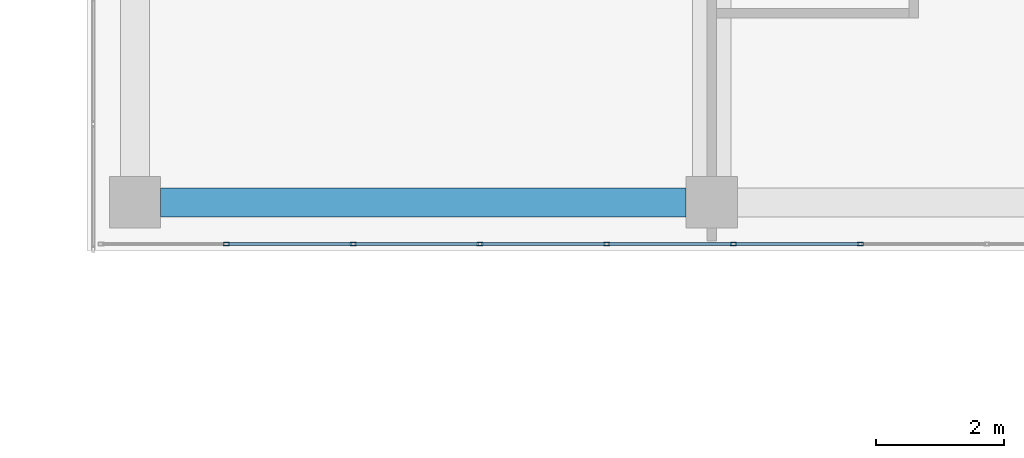
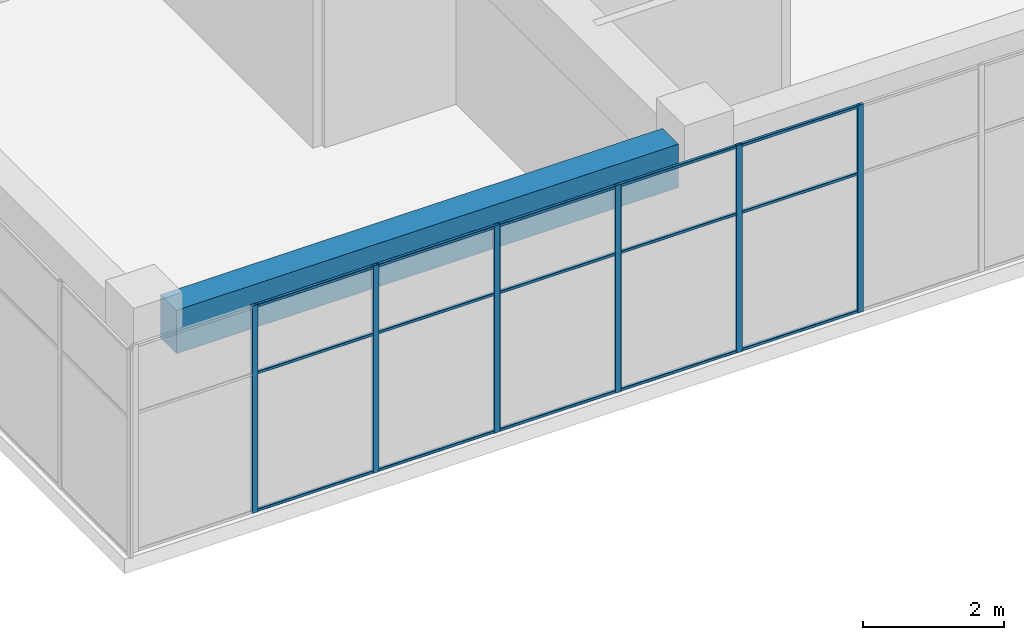
# One storey, part 15 of 52: 21 members, 1 beam, 1 element without a shape of its own.
"""IFC4 building model written with IfcOpenShell, lengths in metres."""

from ifc_helpers import new_model, si_unit, direction, frame, origin, origin_2d, place, context, subcontext, project, spatial, rectangle, hollow_rectangle, extrude, material, layer, layer_set, material_profile, profile_set, type_object, element, aggregate, save


model = new_model("IFC4")

# Units and contexts
model_context = context("Model", 3, precision=1e-05, world=origin(), true_north=direction((0.0, 1.0)))
body_context = subcontext(model_context, "Body", "Model", "MODEL_VIEW")
ifc_project = project(units=[si_unit("LENGTHUNIT", "METRE"), si_unit("AREAUNIT", "SQUARE_METRE"), si_unit("VOLUMEUNIT", "CUBIC_METRE"), si_unit("PLANEANGLEUNIT", "RADIAN"), si_unit("MASSUNIT", "GRAM", prefix="KILO")], contexts=[model_context])

# Site, building, storey
site_placement = place(None, origin())
site = spatial("IfcSite", under=ifc_project, at=site_placement, CompositionType="ELEMENT")
building_placement = place(site_placement, origin())
building = spatial("IfcBuilding", under=site, at=building_placement, Name="Tuart Plaza Theatre", CompositionType="ELEMENT")
storey_placement = place(building_placement, frame((0.0, 0.0, 25.5)))
storey = spatial("IfcBuildingStorey", under=building, at=storey_placement, Name="L06", CompositionType="ELEMENT", Elevation=25.5)

# Beam
ifc_material_1 = material(Name="Concrete N40 (40 MPa)", Category="concrete")
ifc_material_profile_1 = material_profile(ifc_material_1, rectangle(XDim=0.449951171875, YDim=0.75, at=origin_2d()), Name="BEAM 450x750 Concrete N40 (40 MPa)")
ifc_profile_set_1 = profile_set([ifc_material_profile_1], Name="Concrete N40 (40 MPa)")
beam_type = type_object("IfcBeamType", Name="BEAM 450x750 Concrete N40 (40 MPa)", PredefinedType="BEAM", material=ifc_profile_set_1)
beam_placement = place(storey_placement, frame((114.39990234375, 56.0, 3.205078125), z_axis=(1.0, 0.0, 0.0), x_axis=(0.0, 1.0, 0.0)))
element("IfcBeam", 1, at=beam_placement, inside=storey, type_object=beam_type, Name="RB208", PredefinedType="BEAM", context=body_context, shape_type="SweptSolid", body=[
    extrude(rectangle(XDim=0.449951171875, YDim=0.75, at=origin_2d()), origin(), (0.0, 0.0, 1.0), 8.2001953125),
])

# Curtain wall, members
ifc_material_2 = material(Name="Aluminium and glass", Category="aluminium")
ifc_layer = layer(ifc_material_2, 0.10009765625)
ifc_layer_set = layer_set([ifc_layer], Name="CURTAIN WALL 2000 module")
curtain_wall_type = type_object("IfcCurtainWallType", Name="CURTAIN WALL 2000 module", PredefinedType="NOTDEFINED", material=ifc_layer_set)
curtain_wall_placement = place(storey_placement, origin())
curtain_wall = element("IfcCurtainWall", 2, at=curtain_wall_placement, inside=storey, type_object=curtain_wall_type, Name="CW87", PredefinedType="NOTDEFINED")
ifc_material_3 = material(Name="Aluminium 6063-T5", Category="aluminium")
ifc_material_profile_2 = material_profile(ifc_material_3, hollow_rectangle(XDim=0.050048828125, YDim=0.10009765625, WallThickness=0.00390625, InnerFilletRadius=0.00390625, OuterFilletRadius=0.008056640625, at=origin_2d()), Name="RHS 100x50x4")
ifc_profile_set_2 = profile_set([ifc_material_profile_2], Name="Aluminium 6063-T5")
member_type_1 = type_object("IfcMemberType", Name="MULLION RHS 100x50x4", PredefinedType="MULLION", material=ifc_profile_set_2)
member_1_placement = place(storey_placement, frame((115.427734375, 55.35009765625, 0.0), z_axis=(0.0, 0.0, 1.0), x_axis=(0.0, 1.0, 0.0)))
member_1 = element("IfcMember", 3, at=member_1_placement, type_object=member_type_1, Name="CW87 mullion 2", PredefinedType="MULLION", context=body_context, shape_type="SweptSolid", body=[
    extrude(hollow_rectangle(XDim=0.050048828125, YDim=0.10009765625, WallThickness=0.00390625, InnerFilletRadius=0.00390625, OuterFilletRadius=0.008056640625, at=origin_2d()), origin(), (0.0, 0.0, 1.0), 3.580078125),
])
member_2_placement = place(storey_placement, frame((117.405517578125, 55.35009765625, 0.0), z_axis=(0.0, 0.0, 1.0), x_axis=(0.0, 1.0, 0.0)))
member_2 = element("IfcMember", 4, at=member_2_placement, type_object=member_type_1, Name="CW87 mullion 3", PredefinedType="MULLION", context=body_context, shape_type="SweptSolid", body=[
    extrude(hollow_rectangle(XDim=0.050048828125, YDim=0.10009765625, WallThickness=0.00390625, InnerFilletRadius=0.00390625, OuterFilletRadius=0.008056640625, at=origin_2d()), origin(), (0.0, 0.0, 1.0), 3.580078125),
])
member_3_placement = place(storey_placement, frame((119.38330078125, 55.35009765625, 0.0), z_axis=(0.0, 0.0, 1.0), x_axis=(0.0, 1.0, 0.0)))
member_3 = element("IfcMember", 5, at=member_3_placement, type_object=member_type_1, Name="CW87 mullion 4", PredefinedType="MULLION", context=body_context, shape_type="SweptSolid", body=[
    extrude(hollow_rectangle(XDim=0.050048828125, YDim=0.10009765625, WallThickness=0.00390625, InnerFilletRadius=0.00390625, OuterFilletRadius=0.008056640625, at=origin_2d()), origin(), (0.0, 0.0, 1.0), 3.580078125),
])
member_4_placement = place(storey_placement, frame((121.361083984375, 55.35009765625, 0.0), z_axis=(0.0, 0.0, 1.0), x_axis=(0.0, 1.0, 0.0)))
member_4 = element("IfcMember", 6, at=member_4_placement, type_object=member_type_1, Name="CW87 mullion 5", PredefinedType="MULLION", context=body_context, shape_type="SweptSolid", body=[
    extrude(hollow_rectangle(XDim=0.050048828125, YDim=0.10009765625, WallThickness=0.00390625, InnerFilletRadius=0.00390625, OuterFilletRadius=0.008056640625, at=origin_2d()), origin(), (0.0, 0.0, 1.0), 3.580078125),
])
member_5_placement = place(storey_placement, frame((123.3388671875, 55.35009765625, 0.0), z_axis=(0.0, 0.0, 1.0), x_axis=(0.0, 1.0, 0.0)))
member_5 = element("IfcMember", 7, at=member_5_placement, type_object=member_type_1, Name="CW87 mullion 6", PredefinedType="MULLION", context=body_context, shape_type="SweptSolid", body=[
    extrude(hollow_rectangle(XDim=0.050048828125, YDim=0.10009765625, WallThickness=0.00390625, InnerFilletRadius=0.00390625, OuterFilletRadius=0.008056640625, at=origin_2d()), origin(), (0.0, 0.0, 1.0), 3.580078125),
])
member_6_placement = place(storey_placement, frame((125.316650390625, 55.35009765625, 0.0), z_axis=(0.0, 0.0, 1.0), x_axis=(0.0, 1.0, 0.0)))
member_6 = element("IfcMember", 8, at=member_6_placement, type_object=member_type_1, Name="CW87 mullion 7", PredefinedType="MULLION", context=body_context, shape_type="SweptSolid", body=[
    extrude(hollow_rectangle(XDim=0.050048828125, YDim=0.10009765625, WallThickness=0.00390625, InnerFilletRadius=0.00390625, OuterFilletRadius=0.008056640625, at=origin_2d()), origin(), (0.0, 0.0, 1.0), 3.580078125),
])
ifc_material_4 = material(Name="Aluminium 6063-T5", Category="aluminium")
ifc_material_profile_3 = material_profile(ifc_material_4, hollow_rectangle(XDim=0.050048828125, YDim=0.050048828125, WallThickness=0.00390625, InnerFilletRadius=0.00390625, OuterFilletRadius=0.008056640625, at=origin_2d()), Name="RHS 50x50x4")
ifc_profile_set_3 = profile_set([ifc_material_profile_3], Name="Aluminium 6063-T5")
member_type_2 = type_object("IfcMemberType", Name="TRANSOM RHS 50x50x4", PredefinedType="USERDEFINED", material=ifc_profile_set_3)
member_7_placement = place(storey_placement, frame((115.452880859375, 55.35009765625, 0.02490234375), z_axis=(1.0, 0.0, 0.0), x_axis=(0.0, 1.0, 0.0)))
member_7 = element("IfcMember", 9, at=member_7_placement, type_object=member_type_2, Name="CW87 transom 2.1", ObjectType="TRANSOM", PredefinedType="USERDEFINED", context=body_context, shape_type="SweptSolid", body=[
    extrude(hollow_rectangle(XDim=0.050048828125, YDim=0.050048828125, WallThickness=0.00390625, InnerFilletRadius=0.00390625, OuterFilletRadius=0.008056640625, at=origin_2d()), origin(), (0.0, 0.0, 1.0), 1.927734375),
])
member_8_placement = place(storey_placement, frame((115.452880859375, 55.35009765625, 2.39990234375), z_axis=(1.0, 0.0, 0.0), x_axis=(0.0, 1.0, 0.0)))
member_8 = element("IfcMember", 10, at=member_8_placement, type_object=member_type_2, Name="CW87 transom 2.2", ObjectType="TRANSOM", PredefinedType="USERDEFINED", context=body_context, shape_type="SweptSolid", body=[
    extrude(hollow_rectangle(XDim=0.050048828125, YDim=0.050048828125, WallThickness=0.00390625, InnerFilletRadius=0.00390625, OuterFilletRadius=0.008056640625, at=origin_2d()), origin(), (0.0, 0.0, 1.0), 1.927734375),
])
member_9_placement = place(storey_placement, frame((115.452880859375, 55.35009765625, 3.554931640625), z_axis=(1.0, 0.0, 0.0), x_axis=(0.0, 1.0, 0.0)))
member_9 = element("IfcMember", 11, at=member_9_placement, type_object=member_type_2, Name="CW87 transom 2.3", ObjectType="TRANSOM", PredefinedType="USERDEFINED", context=body_context, shape_type="SweptSolid", body=[
    extrude(hollow_rectangle(XDim=0.050048828125, YDim=0.050048828125, WallThickness=0.00390625, InnerFilletRadius=0.00390625, OuterFilletRadius=0.008056640625, at=origin_2d()), origin(), (0.0, 0.0, 1.0), 1.927734375),
])
member_10_placement = place(storey_placement, frame((117.4306640625, 55.35009765625, 0.02490234375), z_axis=(1.0, 0.0, 0.0), x_axis=(0.0, 1.0, 0.0)))
member_10 = element("IfcMember", 12, at=member_10_placement, type_object=member_type_2, Name="CW87 transom 3.1", ObjectType="TRANSOM", PredefinedType="USERDEFINED", context=body_context, shape_type="SweptSolid", body=[
    extrude(hollow_rectangle(XDim=0.050048828125, YDim=0.050048828125, WallThickness=0.00390625, InnerFilletRadius=0.00390625, OuterFilletRadius=0.008056640625, at=origin_2d()), origin(), (0.0, 0.0, 1.0), 1.927734375),
])
member_11_placement = place(storey_placement, frame((117.4306640625, 55.35009765625, 2.39990234375), z_axis=(1.0, 0.0, 0.0), x_axis=(0.0, 1.0, 0.0)))
member_11 = element("IfcMember", 13, at=member_11_placement, type_object=member_type_2, Name="CW87 transom 3.2", ObjectType="TRANSOM", PredefinedType="USERDEFINED", context=body_context, shape_type="SweptSolid", body=[
    extrude(hollow_rectangle(XDim=0.050048828125, YDim=0.050048828125, WallThickness=0.00390625, InnerFilletRadius=0.00390625, OuterFilletRadius=0.008056640625, at=origin_2d()), origin(), (0.0, 0.0, 1.0), 1.927734375),
])
member_12_placement = place(storey_placement, frame((117.4306640625, 55.35009765625, 3.554931640625), z_axis=(1.0, 0.0, 0.0), x_axis=(0.0, 1.0, 0.0)))
member_12 = element("IfcMember", 14, at=member_12_placement, type_object=member_type_2, Name="CW87 transom 3.3", ObjectType="TRANSOM", PredefinedType="USERDEFINED", context=body_context, shape_type="SweptSolid", body=[
    extrude(hollow_rectangle(XDim=0.050048828125, YDim=0.050048828125, WallThickness=0.00390625, InnerFilletRadius=0.00390625, OuterFilletRadius=0.008056640625, at=origin_2d()), origin(), (0.0, 0.0, 1.0), 1.927734375),
])
member_13_placement = place(storey_placement, frame((119.408447265625, 55.35009765625, 0.02490234375), z_axis=(1.0, 0.0, 0.0), x_axis=(0.0, 1.0, 0.0)))
member_13 = element("IfcMember", 15, at=member_13_placement, type_object=member_type_2, Name="CW87 transom 4.1", ObjectType="TRANSOM", PredefinedType="USERDEFINED", context=body_context, shape_type="SweptSolid", body=[
    extrude(hollow_rectangle(XDim=0.050048828125, YDim=0.050048828125, WallThickness=0.00390625, InnerFilletRadius=0.00390625, OuterFilletRadius=0.008056640625, at=origin_2d()), origin(), (0.0, 0.0, 1.0), 1.927734375),
])
member_14_placement = place(storey_placement, frame((119.408447265625, 55.35009765625, 2.39990234375), z_axis=(1.0, 0.0, 0.0), x_axis=(0.0, 1.0, 0.0)))
member_14 = element("IfcMember", 16, at=member_14_placement, type_object=member_type_2, Name="CW87 transom 4.2", ObjectType="TRANSOM", PredefinedType="USERDEFINED", context=body_context, shape_type="SweptSolid", body=[
    extrude(hollow_rectangle(XDim=0.050048828125, YDim=0.050048828125, WallThickness=0.00390625, InnerFilletRadius=0.00390625, OuterFilletRadius=0.008056640625, at=origin_2d()), origin(), (0.0, 0.0, 1.0), 1.927734375),
])
member_15_placement = place(storey_placement, frame((119.408447265625, 55.35009765625, 3.554931640625), z_axis=(1.0, 0.0, 0.0), x_axis=(0.0, 1.0, 0.0)))
member_15 = element("IfcMember", 17, at=member_15_placement, type_object=member_type_2, Name="CW87 transom 4.3", ObjectType="TRANSOM", PredefinedType="USERDEFINED", context=body_context, shape_type="SweptSolid", body=[
    extrude(hollow_rectangle(XDim=0.050048828125, YDim=0.050048828125, WallThickness=0.00390625, InnerFilletRadius=0.00390625, OuterFilletRadius=0.008056640625, at=origin_2d()), origin(), (0.0, 0.0, 1.0), 1.927734375),
])
member_16_placement = place(storey_placement, frame((121.38623046875, 55.35009765625, 0.02490234375), z_axis=(1.0, 0.0, 0.0), x_axis=(0.0, 1.0, 0.0)))
member_16 = element("IfcMember", 18, at=member_16_placement, type_object=member_type_2, Name="CW87 transom 5.1", ObjectType="TRANSOM", PredefinedType="USERDEFINED", context=body_context, shape_type="SweptSolid", body=[
    extrude(hollow_rectangle(XDim=0.050048828125, YDim=0.050048828125, WallThickness=0.00390625, InnerFilletRadius=0.00390625, OuterFilletRadius=0.008056640625, at=origin_2d()), origin(), (0.0, 0.0, 1.0), 1.927734375),
])
member_17_placement = place(storey_placement, frame((121.38623046875, 55.35009765625, 2.39990234375), z_axis=(1.0, 0.0, 0.0), x_axis=(0.0, 1.0, 0.0)))
member_17 = element("IfcMember", 19, at=member_17_placement, type_object=member_type_2, Name="CW87 transom 5.2", ObjectType="TRANSOM", PredefinedType="USERDEFINED", context=body_context, shape_type="SweptSolid", body=[
    extrude(hollow_rectangle(XDim=0.050048828125, YDim=0.050048828125, WallThickness=0.00390625, InnerFilletRadius=0.00390625, OuterFilletRadius=0.008056640625, at=origin_2d()), origin(), (0.0, 0.0, 1.0), 1.927734375),
])
member_18_placement = place(storey_placement, frame((121.38623046875, 55.35009765625, 3.554931640625), z_axis=(1.0, 0.0, 0.0), x_axis=(0.0, 1.0, 0.0)))
member_18 = element("IfcMember", 20, at=member_18_placement, type_object=member_type_2, Name="CW87 transom 5.3", ObjectType="TRANSOM", PredefinedType="USERDEFINED", context=body_context, shape_type="SweptSolid", body=[
    extrude(hollow_rectangle(XDim=0.050048828125, YDim=0.050048828125, WallThickness=0.00390625, InnerFilletRadius=0.00390625, OuterFilletRadius=0.008056640625, at=origin_2d()), origin(), (0.0, 0.0, 1.0), 1.927734375),
])
member_19_placement = place(storey_placement, frame((123.36376953125, 55.35009765625, 0.02490234375), z_axis=(1.0, 0.0, 0.0), x_axis=(0.0, 1.0, 0.0)))
member_19 = element("IfcMember", 21, at=member_19_placement, type_object=member_type_2, Name="CW87 transom 6.1", ObjectType="TRANSOM", PredefinedType="USERDEFINED", context=body_context, shape_type="SweptSolid", body=[
    extrude(hollow_rectangle(XDim=0.050048828125, YDim=0.050048828125, WallThickness=0.00390625, InnerFilletRadius=0.00390625, OuterFilletRadius=0.008056640625, at=origin_2d()), origin(), (0.0, 0.0, 1.0), 1.927978515625),
])
member_20_placement = place(storey_placement, frame((123.36376953125, 55.35009765625, 2.39990234375), z_axis=(1.0, 0.0, 0.0), x_axis=(0.0, 1.0, 0.0)))
member_20 = element("IfcMember", 22, at=member_20_placement, type_object=member_type_2, Name="CW87 transom 6.2", ObjectType="TRANSOM", PredefinedType="USERDEFINED", context=body_context, shape_type="SweptSolid", body=[
    extrude(hollow_rectangle(XDim=0.050048828125, YDim=0.050048828125, WallThickness=0.00390625, InnerFilletRadius=0.00390625, OuterFilletRadius=0.008056640625, at=origin_2d()), origin(), (0.0, 0.0, 1.0), 1.927978515625),
])
member_21_placement = place(storey_placement, frame((123.36376953125, 55.35009765625, 3.554931640625), z_axis=(1.0, 0.0, 0.0), x_axis=(0.0, 1.0, 0.0)))
member_21 = element("IfcMember", 23, at=member_21_placement, type_object=member_type_2, Name="CW87 transom 6.3", ObjectType="TRANSOM", PredefinedType="USERDEFINED", context=body_context, shape_type="SweptSolid", body=[
    extrude(hollow_rectangle(XDim=0.050048828125, YDim=0.050048828125, WallThickness=0.00390625, InnerFilletRadius=0.00390625, OuterFilletRadius=0.008056640625, at=origin_2d()), origin(), (0.0, 0.0, 1.0), 1.927978515625),
])
aggregate(curtain_wall, [member_1, member_2, member_3, member_4, member_5, member_6, member_7, member_8, member_9, member_10, member_11, member_12, member_13, member_14, member_15, member_16, member_17, member_18, member_19, member_20, member_21])

save(model, "model.ifc")
